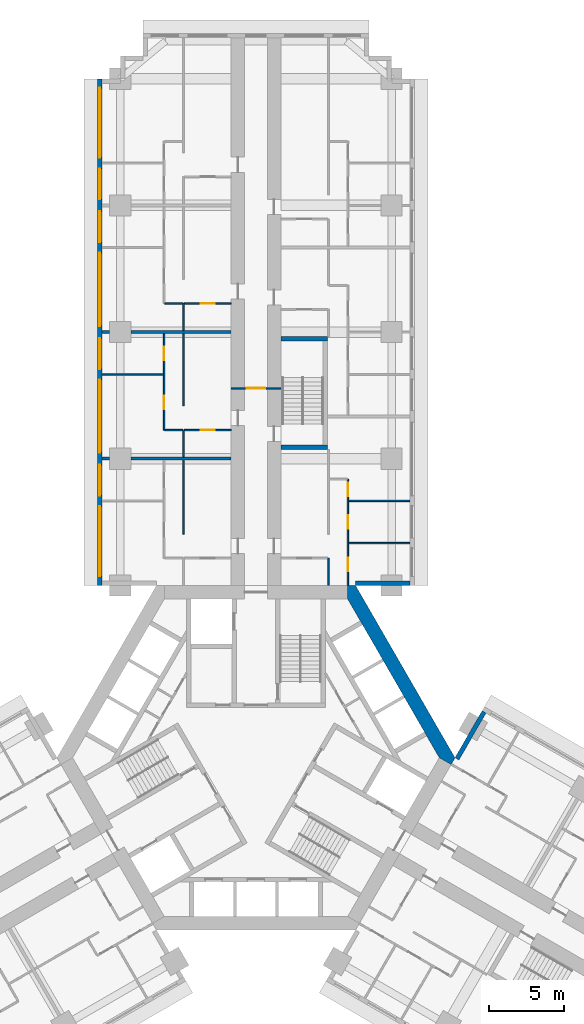
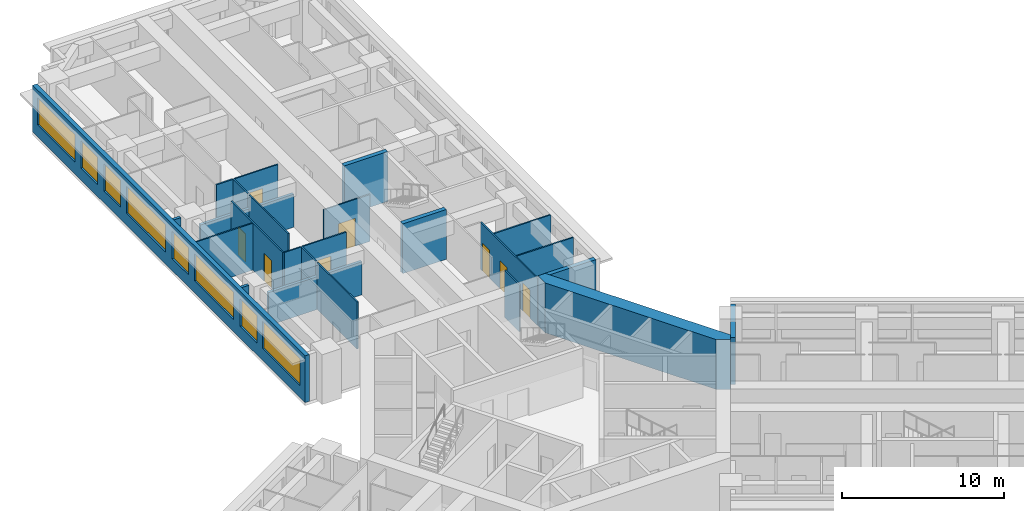
# One storey, part 9 of 16: 25 walls, 8 doors, 8 windows, 16 openings.
"""IFC4 building model written with IfcOpenShell, lengths in metres."""

from ifc_helpers import new_model, si_unit, direction, frame, frame_2d, origin, place, context, subcontext, project, spatial, polyline, rectangle, outline, extrude, material, layer, layer_set, type_object, element, fill, save


model = new_model("IFC4")

# Units and contexts
model_context = context("Model", 3, precision=1e-05, world=origin(), true_north=direction((0.0, 1.0)))
body_context = subcontext(model_context, "Body", "Model", "MODEL_VIEW")
ifc_project = project(units=[si_unit("LENGTHUNIT", "METRE"), si_unit("AREAUNIT", "SQUARE_METRE"), si_unit("VOLUMEUNIT", "CUBIC_METRE"), si_unit("PLANEANGLEUNIT", "RADIAN"), si_unit("MASSUNIT", "GRAM", prefix="KILO")], contexts=[model_context])

# Site, building, storey
site_placement = place(None, origin())
site = spatial("IfcSite", under=ifc_project, at=site_placement, CompositionType="ELEMENT")
building_placement = place(site_placement, origin())
building = spatial("IfcBuilding", under=site, at=building_placement, Name="Impinga Residences", CompositionType="ELEMENT")
storey_placement = place(building_placement, frame((0.0, 0.0, 71.0)))
storey = spatial("IfcBuildingStorey", under=building, at=storey_placement, Name="L17", CompositionType="ELEMENT", Elevation=71.0)

# Wall, opening, door
ifc_material_1 = material(Name="Concrete blockwork", Category="masonry")
ifc_layer_1 = layer(ifc_material_1, 0.10009765625)
ifc_layer_set_1 = layer_set([ifc_layer_1], Name="CP1 core room partition, blockwork 100")
wall_type_1 = type_object("IfcWallType", Name="CP1 core room partition, blockwork 100", PredefinedType="PARTITIONING", material=ifc_layer_set_1)
wall_1_placement = place(storey_placement, frame((-1.64990234375, 24.5, 0.0), z_axis=(0.0, 0.0, 1.0), x_axis=(1.0, 0.0, 0.0)))
wall_1 = element("IfcWall", 1, at=wall_1_placement, inside=storey, type_object=wall_type_1, Name="Core room partition, blockwork L17:N:SCR", PredefinedType="PARTITIONING", context=body_context, shape_type="SweptSolid", body=[
    extrude(rectangle(XDim=3.2998046875, YDim=0.10009765625, at=frame_2d((1.64990234375, 0.0))), origin(), (0.0, 0.0, 1.0), 3.530029296875),
])
opening_1_placement = place(wall_1_placement, frame((1.050048828125, 0.0, 0.0)))
opening_1 = element("IfcOpeningElement", 2, at=opening_1_placement, cuts=wall_1, Name="Opening D3", PredefinedType="OPENING", context=body_context, shape_type="SweptSolid", body=[
    extrude(rectangle(XDim=1.199951171875, YDim=2.10009765625, at=frame_2d((0.60009765625, 1.050048828125))), frame((0.0, 0.06005859375, 0.0), z_axis=(0.0, -1.0, 0.0), x_axis=(1.0, 0.0, 0.0)), (0.0, 0.0, 1.0), 0.1201171875),
])
ifc_material_2 = material(Name="Timber door set", Category="wood")
door_type_1 = type_object("IfcDoorType", Name="D3 room door, leaf and a half 1200x2100", OperationType="DOUBLE_SWING_LEFT", PredefinedType="DOOR", material=ifc_material_2)
door_1_placement = place(opening_1_placement, origin())
door_1 = element("IfcDoor", 3, at=door_1_placement, inside=storey, type_object=door_type_1, Name="Corridor smoke door N", OperationType="DOUBLE_SWING_LEFT", OverallHeight=2.10009765625, OverallWidth=1.199951171875, PredefinedType="DOOR", context=body_context, shape_type="SweptSolid", body=[
    extrude(rectangle(XDim=1.199951171875, YDim=2.10009765625, at=frame_2d((0.60009765625, 1.050048828125))), frame((0.0, 0.02490234375, 0.0), z_axis=(0.0, -1.0, 0.0), x_axis=(1.0, 0.0, 0.0)), (0.0, 0.0, 1.0), 0.050048828125),
])
fill(opening_1, door_1)

# Wall, openings, windows
ifc_material_3 = material(Name="Terracotta rainscreen on blockwork", Category="masonry")
ifc_layer_2 = layer(ifc_material_3, 0.300048828125)
ifc_layer_set_2 = layer_set([ifc_layer_2], Name="EW1 external wall, terracotta rainscreen on blockwork 300")
wall_type_2 = type_object("IfcWallType", Name="EW1 external wall, terracotta rainscreen on blockwork 300", PredefinedType="SOLIDWALL", material=ifc_layer_set_2)
wall_2_placement = place(storey_placement, frame((-10.35009765625, 11.431640625, 0.0), z_axis=(0.0, 0.0, 1.0), x_axis=(0.0, 1.0, 0.0)))
wall_2 = element("IfcWall", 4, at=wall_2_placement, inside=storey, type_object=wall_type_2, Name="External wall EW1 L17", PredefinedType="SOLIDWALL", context=body_context, shape_type="SweptSolid", body=[
    extrude(rectangle(XDim=33.599853515625, YDim=0.300048828125, at=frame_2d((16.7998046875, 0.0))), origin(), (0.0, 0.0, 1.0), 3.530029296875),
])
opening_2_placement = place(wall_2_placement, frame((0.60009765625, 0.0, 0.89990234375)))
opening_2 = element("IfcOpeningElement", 5, at=opening_2_placement, cuts=wall_2, Name="Opening W10", PredefinedType="OPENING", context=body_context, shape_type="SweptSolid", body=[
    extrude(rectangle(XDim=4.64990234375, YDim=2.050048828125, at=frame_2d((2.324951171875, 1.02490234375))), frame((0.0, 0.159912109375, 0.0), z_axis=(0.0, -1.0, 0.0), x_axis=(1.0, 0.0, 0.0)), (0.0, 0.0, 1.0), 0.320068359375),
])
opening_3_placement = place(wall_2_placement, frame((5.949951171875, 0.0, 0.89990234375)))
opening_3 = element("IfcOpeningElement", 6, at=opening_3_placement, cuts=wall_2, Name="Opening W14", PredefinedType="OPENING", context=body_context, shape_type="SweptSolid", body=[
    extrude(rectangle(XDim=2.050048828125, YDim=2.050048828125, at=frame_2d((1.02490234375, 1.02490234375))), frame((0.0, 0.159912109375, 0.0), z_axis=(0.0, -1.0, 0.0), x_axis=(1.0, 0.0, 0.0)), (0.0, 0.0, 1.0), 0.320068359375),
])
opening_4_placement = place(wall_2_placement, frame((8.800048828125, 0.0, 0.89990234375)))
opening_4 = element("IfcOpeningElement", 7, at=opening_4_placement, cuts=wall_2, Name="Opening W6", PredefinedType="OPENING", context=body_context, shape_type="SweptSolid", body=[
    extrude(rectangle(XDim=4.85009765625, YDim=2.050048828125, at=frame_2d((2.425048828125, 1.02490234375))), frame((0.0, 0.159912109375, 0.0), z_axis=(0.0, -1.0, 0.0), x_axis=(1.0, 0.0, 0.0)), (0.0, 0.0, 1.0), 0.320068359375),
])
opening_5_placement = place(wall_2_placement, frame((14.35009765625, 0.0, 0.89990234375)))
opening_5 = element("IfcOpeningElement", 8, at=opening_5_placement, cuts=wall_2, Name="Opening W14", PredefinedType="OPENING", context=body_context, shape_type="SweptSolid", body=[
    extrude(rectangle(XDim=2.050048828125, YDim=2.050048828125, at=frame_2d((1.02490234375, 1.02490234375))), frame((0.0, 0.159912109375, 0.0), z_axis=(0.0, -1.0, 0.0), x_axis=(1.0, 0.0, 0.0)), (0.0, 0.0, 1.0), 0.320068359375),
])
opening_6_placement = place(wall_2_placement, frame((17.199951171875, 0.0, 0.89990234375)))
opening_6 = element("IfcOpeningElement", 9, at=opening_6_placement, cuts=wall_2, Name="Opening W6", PredefinedType="OPENING", context=body_context, shape_type="SweptSolid", body=[
    extrude(rectangle(XDim=4.85009765625, YDim=2.050048828125, at=frame_2d((2.425048828125, 1.02490234375))), frame((0.0, 0.159912109375, 0.0), z_axis=(0.0, -1.0, 0.0), x_axis=(1.0, 0.0, 0.0)), (0.0, 0.0, 1.0), 0.320068359375),
])
opening_7_placement = place(wall_2_placement, frame((22.75, 0.0, 0.89990234375)))
opening_7 = element("IfcOpeningElement", 10, at=opening_7_placement, cuts=wall_2, Name="Opening W14", PredefinedType="OPENING", context=body_context, shape_type="SweptSolid", body=[
    extrude(rectangle(XDim=2.050048828125, YDim=2.050048828125, at=frame_2d((1.02490234375, 1.02490234375))), frame((0.0, 0.159912109375, 0.0), z_axis=(0.0, -1.0, 0.0), x_axis=(1.0, 0.0, 0.0)), (0.0, 0.0, 1.0), 0.320068359375),
])
opening_8_placement = place(wall_2_placement, frame((25.60009765625, 0.0, 0.89990234375)))
opening_8 = element("IfcOpeningElement", 11, at=opening_8_placement, cuts=wall_2, Name="Opening W14", PredefinedType="OPENING", context=body_context, shape_type="SweptSolid", body=[
    extrude(rectangle(XDim=2.050048828125, YDim=2.050048828125, at=frame_2d((1.02490234375, 1.02490234375))), frame((0.0, 0.159912109375, 0.0), z_axis=(0.0, -1.0, 0.0), x_axis=(1.0, 0.0, 0.0)), (0.0, 0.0, 1.0), 0.320068359375),
])
opening_9_placement = place(wall_2_placement, frame((28.35009765625, 0.0, 0.89990234375)))
opening_9 = element("IfcOpeningElement", 12, at=opening_9_placement, cuts=wall_2, Name="Opening W10", PredefinedType="OPENING", context=body_context, shape_type="SweptSolid", body=[
    extrude(rectangle(XDim=4.64990234375, YDim=2.050048828125, at=frame_2d((2.324951171875, 1.02490234375))), frame((0.0, 0.159912109375, 0.0), z_axis=(0.0, -1.0, 0.0), x_axis=(1.0, 0.0, 0.0)), (0.0, 0.0, 1.0), 0.320068359375),
])
ifc_material_4 = material(Name="Aluminium window, clear double glazing", Category="aluminium")
window_type_1 = type_object("IfcWindowType", Name="W10 ribbon window 4650x2050", PartitioningType="SINGLE_PANEL", PredefinedType="WINDOW", material=ifc_material_4)
window_1_placement = place(opening_2_placement, origin())
window_1 = element("IfcWindow", 13, at=window_1_placement, inside=storey, type_object=window_type_1, Name="Window L17", OverallHeight=2.050048828125, OverallWidth=4.64990234375, PartitioningType="SINGLE_PANEL", PredefinedType="WINDOW", context=body_context, shape_type="SweptSolid", body=[
    extrude(rectangle(XDim=4.64990234375, YDim=2.050048828125, at=frame_2d((2.324951171875, 1.02490234375))), frame((0.0, 0.030029296875, 0.0), z_axis=(0.0, -1.0, 0.0), x_axis=(1.0, 0.0, 0.0)), (0.0, 0.0, 1.0), 0.06005859375),
])
fill(opening_2, window_1)
window_2_placement = place(opening_9_placement, origin())
window_2 = element("IfcWindow", 14, at=window_2_placement, inside=storey, type_object=window_type_1, Name="Window L17", OverallHeight=2.050048828125, OverallWidth=4.64990234375, PartitioningType="SINGLE_PANEL", PredefinedType="WINDOW", context=body_context, shape_type="SweptSolid", body=[
    extrude(rectangle(XDim=4.64990234375, YDim=2.050048828125, at=frame_2d((2.324951171875, 1.02490234375))), frame((0.0, 0.030029296875, 0.0), z_axis=(0.0, -1.0, 0.0), x_axis=(1.0, 0.0, 0.0)), (0.0, 0.0, 1.0), 0.06005859375),
])
fill(opening_9, window_2)
window_type_2 = type_object("IfcWindowType", Name="W14 ribbon window 2050x2050", PartitioningType="SINGLE_PANEL", PredefinedType="WINDOW", material=ifc_material_4)
window_3_placement = place(opening_3_placement, origin())
window_3 = element("IfcWindow", 15, at=window_3_placement, inside=storey, type_object=window_type_2, Name="Window L17", OverallHeight=2.050048828125, OverallWidth=2.050048828125, PartitioningType="SINGLE_PANEL", PredefinedType="WINDOW", context=body_context, shape_type="SweptSolid", body=[
    extrude(rectangle(XDim=2.050048828125, YDim=2.050048828125, at=frame_2d((1.02490234375, 1.02490234375))), frame((0.0, 0.030029296875, 0.0), z_axis=(0.0, -1.0, 0.0), x_axis=(1.0, 0.0, 0.0)), (0.0, 0.0, 1.0), 0.06005859375),
])
fill(opening_3, window_3)
window_4_placement = place(opening_5_placement, origin())
window_4 = element("IfcWindow", 16, at=window_4_placement, inside=storey, type_object=window_type_2, Name="Window L17", OverallHeight=2.050048828125, OverallWidth=2.050048828125, PartitioningType="SINGLE_PANEL", PredefinedType="WINDOW", context=body_context, shape_type="SweptSolid", body=[
    extrude(rectangle(XDim=2.050048828125, YDim=2.050048828125, at=frame_2d((1.02490234375, 1.02490234375))), frame((0.0, 0.030029296875, 0.0), z_axis=(0.0, -1.0, 0.0), x_axis=(1.0, 0.0, 0.0)), (0.0, 0.0, 1.0), 0.06005859375),
])
fill(opening_5, window_4)
window_5_placement = place(opening_7_placement, origin())
window_5 = element("IfcWindow", 17, at=window_5_placement, inside=storey, type_object=window_type_2, Name="Window L17", OverallHeight=2.050048828125, OverallWidth=2.050048828125, PartitioningType="SINGLE_PANEL", PredefinedType="WINDOW", context=body_context, shape_type="SweptSolid", body=[
    extrude(rectangle(XDim=2.050048828125, YDim=2.050048828125, at=frame_2d((1.02490234375, 1.02490234375))), frame((0.0, 0.030029296875, 0.0), z_axis=(0.0, -1.0, 0.0), x_axis=(1.0, 0.0, 0.0)), (0.0, 0.0, 1.0), 0.06005859375),
])
fill(opening_7, window_5)
window_6_placement = place(opening_8_placement, origin())
window_6 = element("IfcWindow", 18, at=window_6_placement, inside=storey, type_object=window_type_2, Name="Window L17", OverallHeight=2.050048828125, OverallWidth=2.050048828125, PartitioningType="SINGLE_PANEL", PredefinedType="WINDOW", context=body_context, shape_type="SweptSolid", body=[
    extrude(rectangle(XDim=2.050048828125, YDim=2.050048828125, at=frame_2d((1.02490234375, 1.02490234375))), frame((0.0, 0.030029296875, 0.0), z_axis=(0.0, -1.0, 0.0), x_axis=(1.0, 0.0, 0.0)), (0.0, 0.0, 1.0), 0.06005859375),
])
fill(opening_8, window_6)
window_type_3 = type_object("IfcWindowType", Name="W6 ribbon window 4850x2050", PartitioningType="SINGLE_PANEL", PredefinedType="WINDOW", material=ifc_material_4)
window_7_placement = place(opening_4_placement, origin())
window_7 = element("IfcWindow", 19, at=window_7_placement, inside=storey, type_object=window_type_3, Name="Window L17", OverallHeight=2.050048828125, OverallWidth=4.85009765625, PartitioningType="SINGLE_PANEL", PredefinedType="WINDOW", context=body_context, shape_type="SweptSolid", body=[
    extrude(rectangle(XDim=4.85009765625, YDim=2.050048828125, at=frame_2d((2.425048828125, 1.02490234375))), frame((0.0, 0.030029296875, 0.0), z_axis=(0.0, -1.0, 0.0), x_axis=(1.0, 0.0, 0.0)), (0.0, 0.0, 1.0), 0.06005859375),
])
fill(opening_4, window_7)
window_8_placement = place(opening_6_placement, origin())
window_8 = element("IfcWindow", 20, at=window_8_placement, inside=storey, type_object=window_type_3, Name="Window L17", OverallHeight=2.050048828125, OverallWidth=4.85009765625, PartitioningType="SINGLE_PANEL", PredefinedType="WINDOW", context=body_context, shape_type="SweptSolid", body=[
    extrude(rectangle(XDim=4.85009765625, YDim=2.050048828125, at=frame_2d((2.425048828125, 1.02490234375))), frame((0.0, 0.030029296875, 0.0), z_axis=(0.0, -1.0, 0.0), x_axis=(1.0, 0.0, 0.0)), (0.0, 0.0, 1.0), 0.06005859375),
])
fill(opening_6, window_8)

# Walls
wall_3_placement = place(storey_placement, frame((10.199951171875, 11.58154296875, 0.0), z_axis=(0.0, 0.0, 1.0), x_axis=(-1.0, 0.0, 0.0)))
element("IfcWall", 21, at=wall_3_placement, inside=storey, type_object=wall_type_2, Name="External wall EW1 L17", PredefinedType="SOLIDWALL", context=body_context, shape_type="SweptSolid", body=[
    extrude(rectangle(XDim=3.599853515625, YDim=0.300048828125, at=frame_2d((1.7998046875, 0.0))), origin(), (0.0, 0.0, 1.0), 3.530029296875),
])
wall_4_placement = place(storey_placement, frame((13.329833984375, -0.074951171875, 0.0), z_axis=(0.0, 0.0, 1.0), x_axis=(0.500012057535, 0.866018442252, 0.0)))
element("IfcWall", 22, at=wall_4_placement, inside=storey, type_object=wall_type_2, Name="External wall EW1 L17", PredefinedType="SOLIDWALL", context=body_context, shape_type="SweptSolid", body=[
    extrude(rectangle(XDim=3.60009765625, YDim=0.300048828125, at=frame_2d((1.800048828125, 0.0))), origin(), (0.0, 0.0, 1.0), 3.530029296875),
])
ifc_material_5 = material(Name="Gypsum board on steel studs", Category="steel")
ifc_layer_3 = layer(ifc_material_5, 0.10009765625)
ifc_layer_set_3 = layer_set([ifc_layer_3], Name="Gypsum board on steel studs")
wall_type_3 = type_object("IfcWallType", Name="IP1 partition 100", PredefinedType="PARTITIONING", material=ifc_layer_set_3)
wall_5_placement = place(storey_placement, frame((-4.800048828125, 14.83154296875, 0.0), z_axis=(0.0, 0.0, 1.0), x_axis=(0.0, 1.0, 0.0)))
element("IfcWall", 23, at=wall_5_placement, inside=storey, type_object=wall_type_3, Name="Partition L17-NA1:DIV1", PredefinedType="PARTITIONING", context=body_context, shape_type="SweptSolid", body=[
    extrude(rectangle(XDim=4.89990234375, YDim=0.10009765625, at=frame_2d((2.449951171875, 0.0))), origin(), (0.0, 0.0, 1.0), 3.530029296875),
])
wall_6_placement = place(storey_placement, frame((-4.800048828125, 19.931640625, 0.0), z_axis=(0.0, 0.0, 1.0), x_axis=(0.0, 1.0, 0.0)))
element("IfcWall", 24, at=wall_6_placement, inside=storey, type_object=wall_type_3, Name="Partition L17-NA2:DIV0", PredefinedType="PARTITIONING", context=body_context, shape_type="SweptSolid", body=[
    extrude(rectangle(XDim=1.7998046875, YDim=0.10009765625, at=frame_2d((0.89990234375, 0.0))), origin(), (0.0, 0.0, 1.0), 3.530029296875),
])
wall_7_placement = place(storey_placement, frame((-4.800048828125, 23.33154296875, 0.0), z_axis=(0.0, 0.0, 1.0), x_axis=(0.0, 1.0, 0.0)))
element("IfcWall", 25, at=wall_7_placement, inside=storey, type_object=wall_type_3, Name="Partition L17-NA2:DIV1", PredefinedType="PARTITIONING", context=body_context, shape_type="SweptSolid", body=[
    extrude(rectangle(XDim=4.800048828125, YDim=0.10009765625, at=frame_2d((2.39990234375, 0.0))), origin(), (0.0, 0.0, 1.0), 3.530029296875),
])

# Wall, openings, doors
wall_8_placement = place(storey_placement, frame((-6.10009765625, 21.7314453125, 0.0), z_axis=(0.0, 0.0, 1.0), x_axis=(0.0, 1.0, 0.0)))
wall_8 = element("IfcWall", 26, at=wall_8_placement, inside=storey, type_object=wall_type_3, Name="Partition L17-NA2:STRIP", PredefinedType="PARTITIONING", context=body_context, shape_type="SweptSolid", body=[
    extrude(rectangle(XDim=6.400146484375, YDim=0.10009765625, at=frame_2d((3.2001953125, 0.0))), origin(), (0.0, 0.0, 1.0), 3.530029296875),
])
opening_10_placement = place(wall_8_placement, frame((1.375, 0.0, 0.0)))
opening_10 = element("IfcOpeningElement", 27, at=opening_10_placement, cuts=wall_8, Name="Opening D2", PredefinedType="OPENING", context=body_context, shape_type="SweptSolid", body=[
    extrude(rectangle(XDim=0.89990234375, YDim=2.10009765625, at=frame_2d((0.449951171875, 1.050048828125))), frame((0.0, 0.06005859375, 0.0), z_axis=(0.0, -1.0, 0.0), x_axis=(1.0, 0.0, 0.0)), (0.0, 0.0, 1.0), 0.1201171875),
])
opening_11_placement = place(wall_8_placement, frame((4.625, 0.0, 0.0)))
opening_11 = element("IfcOpeningElement", 28, at=opening_11_placement, cuts=wall_8, Name="Opening D2", PredefinedType="OPENING", context=body_context, shape_type="SweptSolid", body=[
    extrude(rectangle(XDim=0.89990234375, YDim=2.10009765625, at=frame_2d((0.449951171875, 1.050048828125))), frame((0.0, 0.06005859375, 0.0), z_axis=(0.0, -1.0, 0.0), x_axis=(1.0, 0.0, 0.0)), (0.0, 0.0, 1.0), 0.1201171875),
])
door_type_2 = type_object("IfcDoorType", Name="D2 internal door 900x2100", OperationType="SINGLE_SWING_LEFT", PredefinedType="DOOR", material=ifc_material_2)
door_2_placement = place(opening_10_placement, origin())
door_2 = element("IfcDoor", 29, at=door_2_placement, inside=storey, type_object=door_type_2, Name="Apartment L17-NA2 room door", OperationType="SINGLE_SWING_LEFT", OverallHeight=2.10009765625, OverallWidth=0.89990234375, PredefinedType="DOOR", context=body_context, shape_type="SweptSolid", body=[
    extrude(rectangle(XDim=0.89990234375, YDim=2.10009765625, at=frame_2d((0.449951171875, 1.050048828125))), frame((0.0, 0.02490234375, 0.0), z_axis=(0.0, -1.0, 0.0), x_axis=(1.0, 0.0, 0.0)), (0.0, 0.0, 1.0), 0.050048828125),
])
fill(opening_10, door_2)
door_3_placement = place(opening_11_placement, origin())
door_3 = element("IfcDoor", 30, at=door_3_placement, inside=storey, type_object=door_type_2, Name="Apartment L17-NA2 room door", OperationType="SINGLE_SWING_RIGHT", OverallHeight=2.10009765625, OverallWidth=0.89990234375, PredefinedType="DOOR", context=body_context, shape_type="SweptSolid", body=[
    extrude(rectangle(XDim=0.89990234375, YDim=2.10009765625, at=frame_2d((0.449951171875, 1.050048828125))), frame((0.0, 0.02490234375, 0.0), z_axis=(0.0, -1.0, 0.0), x_axis=(1.0, 0.0, 0.0)), (0.0, 0.0, 1.0), 0.050048828125),
])
fill(opening_11, door_3)

# Wall
wall_9_placement = place(storey_placement, frame((-4.85009765625, 21.7314453125, 0.0), z_axis=(0.0, 0.0, 1.0), x_axis=(-1.0, 0.0, 0.0)))
element("IfcWall", 31, at=wall_9_placement, inside=storey, type_object=wall_type_3, Name="Partition L17-NA2:SE0", PredefinedType="PARTITIONING", context=body_context, shape_type="SweptSolid", body=[
    extrude(rectangle(XDim=1.199951171875, YDim=0.10009765625, at=frame_2d((0.60009765625, 0.0))), origin(), (0.0, 0.0, 1.0), 3.530029296875),
])

# Wall, opening, door
wall_10_placement = place(storey_placement, frame((-1.64990234375, 21.7314453125, 0.0), z_axis=(0.0, 0.0, 1.0), x_axis=(-1.0, 0.0, 0.0)))
wall_10 = element("IfcWall", 32, at=wall_10_placement, inside=storey, type_object=wall_type_3, Name="Partition L17-NA2:IB1", PredefinedType="PARTITIONING", context=body_context, shape_type="SweptSolid", body=[
    extrude(rectangle(XDim=3.10009765625, YDim=0.10009765625, at=frame_2d((1.550048828125, 0.0))), origin(), (0.0, 0.0, 1.0), 3.530029296875),
])
opening_12_placement = place(wall_10_placement, frame((1.10009765625, 0.0, 0.0)))
opening_12 = element("IfcOpeningElement", 33, at=opening_12_placement, cuts=wall_10, Name="Opening D2", PredefinedType="OPENING", context=body_context, shape_type="SweptSolid", body=[
    extrude(rectangle(XDim=0.89990234375, YDim=2.10009765625, at=frame_2d((0.449951171875, 1.050048828125))), frame((0.0, 0.06005859375, 0.0), z_axis=(0.0, -1.0, 0.0), x_axis=(1.0, 0.0, 0.0)), (0.0, 0.0, 1.0), 0.1201171875),
])
door_4_placement = place(opening_12_placement, origin())
door_4 = element("IfcDoor", 34, at=door_4_placement, inside=storey, type_object=door_type_2, Name="Apartment L17-NA2 bathroom door", OperationType="SINGLE_SWING_LEFT", OverallHeight=2.10009765625, OverallWidth=0.89990234375, PredefinedType="DOOR", context=body_context, shape_type="SweptSolid", body=[
    extrude(rectangle(XDim=0.89990234375, YDim=2.10009765625, at=frame_2d((0.449951171875, 1.050048828125))), frame((0.0, 0.02490234375, 0.0), z_axis=(0.0, -1.0, 0.0), x_axis=(1.0, 0.0, 0.0)), (0.0, 0.0, 1.0), 0.050048828125),
])
fill(opening_12, door_4)

# Walls
wall_11_placement = place(storey_placement, frame((-6.14990234375, 25.431640625, 0.0), z_axis=(0.0, 0.0, 1.0), x_axis=(-1.0, 0.0, 0.0)))
element("IfcWall", 35, at=wall_11_placement, inside=storey, type_object=wall_type_3, Name="Partition L17-NA2:OB1", PredefinedType="PARTITIONING", context=body_context, shape_type="SweptSolid", body=[
    extrude(rectangle(XDim=4.050048828125, YDim=0.10009765625, at=frame_2d((2.02490234375, 0.0))), origin(), (0.0, 0.0, 1.0), 3.530029296875),
])
wall_12_placement = place(storey_placement, frame((-4.800048828125, 28.33154296875, 0.0), z_axis=(0.0, 0.0, 1.0), x_axis=(0.0, 1.0, 0.0)))
element("IfcWall", 36, at=wall_12_placement, inside=storey, type_object=wall_type_3, Name="Partition L17-NA3:DIV0", PredefinedType="PARTITIONING", context=body_context, shape_type="SweptSolid", body=[
    extrude(rectangle(XDim=1.800048828125, YDim=0.10009765625, at=frame_2d((0.89990234375, 0.0))), origin(), (0.0, 0.0, 1.0), 3.530029296875),
])
wall_13_placement = place(storey_placement, frame((-4.85009765625, 30.131591796875, 0.0), z_axis=(0.0, 0.0, 1.0), x_axis=(-1.0, 0.0, 0.0)))
element("IfcWall", 37, at=wall_13_placement, inside=storey, type_object=wall_type_3, Name="Partition L17-NA3:SE0", PredefinedType="PARTITIONING", context=body_context, shape_type="SweptSolid", body=[
    extrude(rectangle(XDim=1.199951171875, YDim=0.10009765625, at=frame_2d((0.60009765625, 0.0))), origin(), (0.0, 0.0, 1.0), 3.530029296875),
])

# Wall, opening, door
wall_14_placement = place(storey_placement, frame((-1.64990234375, 30.131591796875, 0.0), z_axis=(0.0, 0.0, 1.0), x_axis=(-1.0, 0.0, 0.0)))
wall_14 = element("IfcWall", 38, at=wall_14_placement, inside=storey, type_object=wall_type_3, Name="Partition L17-NA3:IB1", PredefinedType="PARTITIONING", context=body_context, shape_type="SweptSolid", body=[
    extrude(rectangle(XDim=3.10009765625, YDim=0.10009765625, at=frame_2d((1.550048828125, 0.0))), origin(), (0.0, 0.0, 1.0), 3.530029296875),
])
opening_13_placement = place(wall_14_placement, frame((1.10009765625, 0.0, 0.0)))
opening_13 = element("IfcOpeningElement", 39, at=opening_13_placement, cuts=wall_14, Name="Opening D2", PredefinedType="OPENING", context=body_context, shape_type="SweptSolid", body=[
    extrude(rectangle(XDim=0.89990234375, YDim=2.10009765625, at=frame_2d((0.449951171875, 1.050048828125))), frame((0.0, 0.06005859375, 0.0), z_axis=(0.0, -1.0, 0.0), x_axis=(1.0, 0.0, 0.0)), (0.0, 0.0, 1.0), 0.1201171875),
])
door_5_placement = place(opening_13_placement, origin())
door_5 = element("IfcDoor", 40, at=door_5_placement, inside=storey, type_object=door_type_2, Name="Apartment L17-NA3 bathroom door", OperationType="SINGLE_SWING_LEFT", OverallHeight=2.10009765625, OverallWidth=0.89990234375, PredefinedType="DOOR", context=body_context, shape_type="SweptSolid", body=[
    extrude(rectangle(XDim=0.89990234375, YDim=2.10009765625, at=frame_2d((0.449951171875, 1.050048828125))), frame((0.0, 0.02490234375, 0.0), z_axis=(0.0, -1.0, 0.0), x_axis=(1.0, 0.0, 0.0)), (0.0, 0.0, 1.0), 0.050048828125),
])
fill(opening_13, door_5)

# Wall
wall_15_placement = place(storey_placement, frame((4.800048828125, 11.431640625, 0.0), z_axis=(0.0, 0.0, 1.0), x_axis=(0.0, 1.0, 0.0)))
element("IfcWall", 41, at=wall_15_placement, inside=storey, type_object=wall_type_3, Name="Partition L17-NF1:DIV0", PredefinedType="PARTITIONING", context=body_context, shape_type="SweptSolid", body=[
    extrude(rectangle(XDim=1.7998046875, YDim=0.10009765625, at=frame_2d((0.89990234375, 0.0))), origin(), (0.0, 0.0, 1.0), 3.530029296875),
])

# Wall, openings, doors
wall_16_placement = place(storey_placement, frame((6.10009765625, 11.431640625, 0.0), z_axis=(0.0, 0.0, 1.0), x_axis=(0.0, 1.0, 0.0)))
wall_16 = element("IfcWall", 42, at=wall_16_placement, inside=storey, type_object=wall_type_3, Name="Partition L17-NF1:STRIP", PredefinedType="PARTITIONING", context=body_context, shape_type="SweptSolid", body=[
    extrude(rectangle(XDim=7.0498046875, YDim=0.10009765625, at=frame_2d((3.52490234375, 0.0))), origin(), (0.0, 0.0, 1.0), 3.530029296875),
])
opening_14_placement = place(wall_16_placement, frame((0.925048828125, 0.0, 0.0)))
opening_14 = element("IfcOpeningElement", 43, at=opening_14_placement, cuts=wall_16, Name="Opening D2", PredefinedType="OPENING", context=body_context, shape_type="SweptSolid", body=[
    extrude(rectangle(XDim=0.89990234375, YDim=2.10009765625, at=frame_2d((0.449951171875, 1.050048828125))), frame((0.0, 0.06005859375, 0.0), z_axis=(0.0, -1.0, 0.0), x_axis=(1.0, 0.0, 0.0)), (0.0, 0.0, 1.0), 0.1201171875),
])
opening_15_placement = place(wall_16_placement, frame((3.75, 0.0, 0.0)))
opening_15 = element("IfcOpeningElement", 44, at=opening_15_placement, cuts=wall_16, Name="Opening D2", PredefinedType="OPENING", context=body_context, shape_type="SweptSolid", body=[
    extrude(rectangle(XDim=0.89990234375, YDim=2.10009765625, at=frame_2d((0.449951171875, 1.050048828125))), frame((0.0, 0.06005859375, 0.0), z_axis=(0.0, -1.0, 0.0), x_axis=(1.0, 0.0, 0.0)), (0.0, 0.0, 1.0), 0.1201171875),
])
opening_16_placement = place(wall_16_placement, frame((5.89990234375, 0.0, 0.0)))
opening_16 = element("IfcOpeningElement", 45, at=opening_16_placement, cuts=wall_16, Name="Opening D2", PredefinedType="OPENING", context=body_context, shape_type="SweptSolid", body=[
    extrude(rectangle(XDim=0.89990234375, YDim=2.10009765625, at=frame_2d((0.449951171875, 1.050048828125))), frame((0.0, 0.06005859375, 0.0), z_axis=(0.0, -1.0, 0.0), x_axis=(1.0, 0.0, 0.0)), (0.0, 0.0, 1.0), 0.1201171875),
])
door_6_placement = place(opening_14_placement, origin())
door_6 = element("IfcDoor", 46, at=door_6_placement, inside=storey, type_object=door_type_2, Name="Apartment L17-NF1 room door", OperationType="SINGLE_SWING_LEFT", OverallHeight=2.10009765625, OverallWidth=0.89990234375, PredefinedType="DOOR", context=body_context, shape_type="SweptSolid", body=[
    extrude(rectangle(XDim=0.89990234375, YDim=2.10009765625, at=frame_2d((0.449951171875, 1.050048828125))), frame((0.0, 0.02490234375, 0.0), z_axis=(0.0, -1.0, 0.0), x_axis=(1.0, 0.0, 0.0)), (0.0, 0.0, 1.0), 0.050048828125),
])
fill(opening_14, door_6)
door_7_placement = place(opening_15_placement, origin())
door_7 = element("IfcDoor", 47, at=door_7_placement, inside=storey, type_object=door_type_2, Name="Apartment L17-NF1 room door", OperationType="SINGLE_SWING_RIGHT", OverallHeight=2.10009765625, OverallWidth=0.89990234375, PredefinedType="DOOR", context=body_context, shape_type="SweptSolid", body=[
    extrude(rectangle(XDim=0.89990234375, YDim=2.10009765625, at=frame_2d((0.449951171875, 1.050048828125))), frame((0.0, 0.02490234375, 0.0), z_axis=(0.0, -1.0, 0.0), x_axis=(1.0, 0.0, 0.0)), (0.0, 0.0, 1.0), 0.050048828125),
])
fill(opening_15, door_7)
door_8_placement = place(opening_16_placement, origin())
door_8 = element("IfcDoor", 48, at=door_8_placement, inside=storey, type_object=door_type_2, Name="Apartment L17-NF1 room door", OperationType="SINGLE_SWING_RIGHT", OverallHeight=2.10009765625, OverallWidth=0.89990234375, PredefinedType="DOOR", context=body_context, shape_type="SweptSolid", body=[
    extrude(rectangle(XDim=0.89990234375, YDim=2.10009765625, at=frame_2d((0.449951171875, 1.050048828125))), frame((0.0, 0.02490234375, 0.0), z_axis=(0.0, -1.0, 0.0), x_axis=(1.0, 0.0, 0.0)), (0.0, 0.0, 1.0), 0.050048828125),
])
fill(opening_16, door_8)

# Walls
for number, where, z_axis, x_axis, name in (
    (49, (6.14990234375, 14.2314453125, 0.0), (0.0, 0.0, 1.0), (1.0, 0.0, 0.0), "Partition L17-NF1:OB1"),
    (50, (6.14990234375, 17.031494140625, 0.0), (0.0, 0.0, 1.0), (1.0, 0.0, 0.0), "Partition L17-NF1:OB2"),
):
    element("IfcWall", number, at=place(storey_placement, frame(where, z_axis=z_axis, x_axis=x_axis)), inside=storey, type_object=wall_type_3, Name=name, PredefinedType="PARTITIONING", context=body_context, shape_type="SweptSolid", body=[
        extrude(rectangle(XDim=4.050048828125, YDim=0.10009765625, at=frame_2d((2.02490234375, 0.0))), origin(), (0.0, 0.0, 1.0), 3.530029296875),
    ])
ifc_layer_4 = layer(ifc_material_1, 0.199951171875)
ifc_layer_set_4 = layer_set([ifc_layer_4], Name="PW1 party wall between apartments 200")
wall_type_4 = type_object("IfcWallType", Name="PW1 party wall between apartments 200", PredefinedType="SOLIDWALL", material=ifc_layer_set_4)
wall_17_placement = place(storey_placement, frame((-1.64990234375, 19.83154296875, 0.0), z_axis=(0.0, 0.0, 1.0), x_axis=(-1.0, 0.0, 0.0)))
element("IfcWall", 51, at=wall_17_placement, inside=storey, type_object=wall_type_4, Name="Party wall between apartments L17-NA1:PARTY", PredefinedType="SOLIDWALL", context=body_context, shape_type="SweptSolid", body=[
    extrude(rectangle(XDim=6.650146484375, YDim=0.199951171875, at=frame_2d((3.3251953125, 0.0))), origin(), (0.0, 0.0, 1.0), 2.47998046875),
])
wall_18_placement = place(storey_placement, frame((-9.699951171875, 19.83154296875, 0.0), z_axis=(0.0, 0.0, 1.0), x_axis=(-1.0, 0.0, 0.0)))
element("IfcWall", 52, at=wall_18_placement, inside=storey, type_object=wall_type_4, Name="Party wall between apartments L17-NA1:PARTYb", PredefinedType="SOLIDWALL", context=body_context, shape_type="SweptSolid", body=[
    extrude(rectangle(XDim=0.5, YDim=0.199951171875, at=frame_2d((0.25, 0.0))), origin(), (0.0, 0.0, 1.0), 3.530029296875),
])
wall_19_placement = place(storey_placement, frame((-1.64990234375, 28.2314453125, 0.0), z_axis=(0.0, 0.0, 1.0), x_axis=(-1.0, 0.0, 0.0)))
element("IfcWall", 53, at=wall_19_placement, inside=storey, type_object=wall_type_4, Name="Party wall between apartments L17-NA2:PARTY", PredefinedType="SOLIDWALL", context=body_context, shape_type="SweptSolid", body=[
    extrude(rectangle(XDim=6.650146484375, YDim=0.199951171875, at=frame_2d((3.3251953125, 0.0))), origin(), (0.0, 0.0, 1.0), 2.47998046875),
])
wall_20_placement = place(storey_placement, frame((-9.699951171875, 28.2314453125, 0.0), z_axis=(0.0, 0.0, 1.0), x_axis=(-1.0, 0.0, 0.0)))
element("IfcWall", 54, at=wall_20_placement, inside=storey, type_object=wall_type_4, Name="Party wall between apartments L17-NA2:PARTYb", PredefinedType="SOLIDWALL", context=body_context, shape_type="SweptSolid", body=[
    extrude(rectangle(XDim=0.5, YDim=0.199951171875, at=frame_2d((0.25, 0.0))), origin(), (0.0, 0.0, 1.0), 3.530029296875),
])
ifc_material_6 = material(Name="Concrete C60/75", Category="concrete")
ifc_layer_5 = layer(ifc_material_6, 0.300048828125)
ifc_layer_set_5 = layer_set([ifc_layer_5], Name="Concrete C60/75")
wall_type_5 = type_object("IfcWallType", Name="SE1 wing stair enclosure wall 300", PredefinedType="SOLIDWALL", material=ifc_layer_set_5)
for number, where, z_axis, x_axis, name in (
    (55, (1.64990234375, 20.58154296875, 0.0), (0.0, 0.0, 1.0), (1.0, 0.0, 0.0), "Stair enclosure wall SE1 N END0 L17"),
    (56, (1.64990234375, 27.781494140625, 0.0), (0.0, 0.0, 1.0), (1.0, 0.0, 0.0), "Stair enclosure wall SE1 N END1 L17"),
):
    element("IfcWall", number, at=place(storey_placement, frame(where, z_axis=z_axis, x_axis=x_axis)), inside=storey, type_object=wall_type_5, Name=name, PredefinedType="SOLIDWALL", context=body_context, shape_type="SweptSolid", body=[
        extrude(rectangle(XDim=3.10009765625, YDim=0.300048828125, at=frame_2d((1.550048828125, 0.0))), origin(), (0.0, 0.0, 1.0), 3.75),
    ])
ifc_material_7 = material(Name="Concrete C70/85", Category="concrete")
ifc_layer_6 = layer(ifc_material_7, 0.89990234375)
ifc_layer_set_6 = layer_set([ifc_layer_6], Name="Concrete C70/85")
wall_type_6 = type_object("IfcWallType", Name="SW1 core wall 900", PredefinedType="SHEAR", material=ifc_layer_set_6)
wall_21_placement = place(storey_placement, origin())
element("IfcWall", 57, at=wall_21_placement, inside=storey, type_object=wall_type_6, Name="Core wall SW1 W:EXPOSED L17", PredefinedType="SHEAR", context=body_context, shape_type="SweptSolid", body=[
    extrude(outline(polyline([(13.199951171875, 0.0), (6.60009765625, 11.431640625), (6.080322265625, 11.431640625), (6.080322265625, 10.531494140625), (12.160888671875, 0.0), (12.940185546875, -0.449951171875), (13.199951171875, 0.0)])), origin(), (0.0, 0.0, 1.0), 3.75),
])

save(model, "model.ifc")
